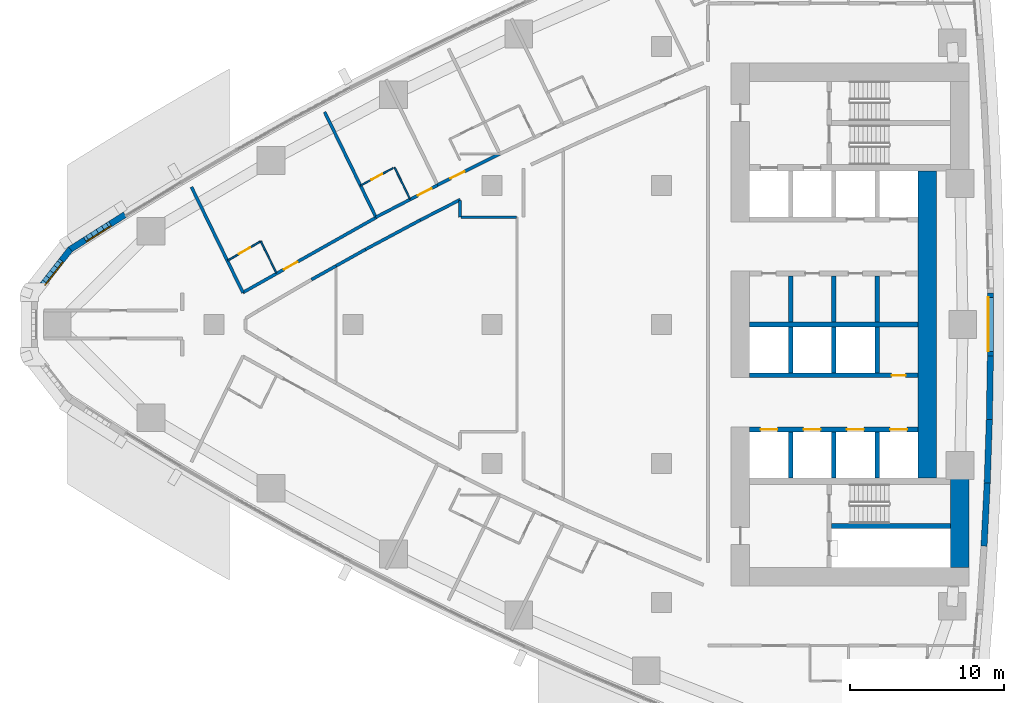
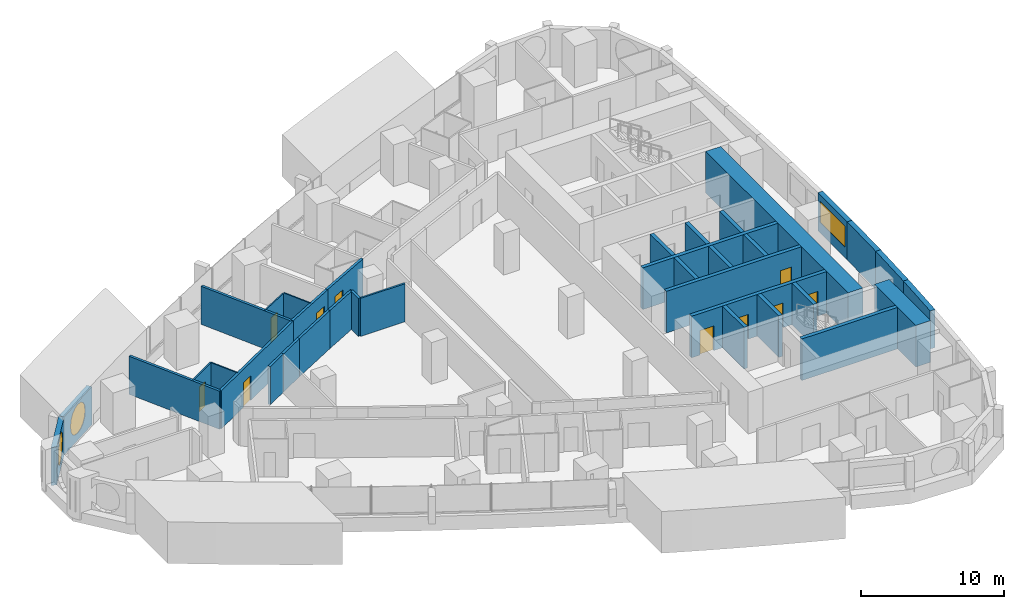
# One storey, part 11 of 19: 36 walls, 10 doors, 3 windows, 13 openings.
"""IFC4 building model written with IfcOpenShell, lengths in metres."""

from ifc_helpers import new_model, si_unit, direction, frame, frame_2d, origin, place, context, subcontext, project, spatial, polyline, rectangle, outline, extrude, material, layer, layer_set, type_object, element, fill, save


model = new_model("IFC4")

# Units and contexts
model_context = context("Model", 3, precision=1e-05, world=origin(), true_north=direction((0.0, 1.0)))
body_context = subcontext(model_context, "Body", "Model", "MODEL_VIEW")
ifc_project = project(units=[si_unit("LENGTHUNIT", "METRE"), si_unit("AREAUNIT", "SQUARE_METRE"), si_unit("VOLUMEUNIT", "CUBIC_METRE"), si_unit("PLANEANGLEUNIT", "RADIAN"), si_unit("MASSUNIT", "GRAM", prefix="KILO")], contexts=[model_context])

# Site, building, storey
site_placement = place(None, origin())
site = spatial("IfcSite", under=ifc_project, at=site_placement, CompositionType="ELEMENT")
building_placement = place(site_placement, origin())
building = spatial("IfcBuilding", under=site, at=building_placement, Name="Ostrand Prow Hotel Tower", CompositionType="ELEMENT")
storey_placement = place(building_placement, frame((0.0, 0.0, 43.14990234375)))
storey = spatial("IfcBuildingStorey", under=building, at=storey_placement, Name="L08", CompositionType="ELEMENT", Elevation=43.14990234375)

# Walls
ifc_material_1 = material(Name="Concrete C80/95", Category="concrete")
ifc_layer_1 = layer(ifc_material_1, 1.199951171875)
ifc_layer_set_1 = layer_set([ifc_layer_1], Name="Concrete C80/95")
wall_type_1 = type_object("IfcWallType", Name="Core wall 1200 C80/95", PredefinedType="SHEAR", material=ifc_layer_set_1)
wall_1_placement = place(storey_placement, frame((64.320068359375, -15.75, 0.0), z_axis=(0.0, 0.0, 1.0), x_axis=(0.0, 1.0, 0.0)))
element("IfcWall", 1, at=wall_1_placement, inside=storey, type_object=wall_type_1, Name="Core wall CW-E-S", PredefinedType="SHEAR", context=body_context, shape_type="SweptSolid", body=[
    extrude(rectangle(XDim=5.800048828125, YDim=1.199951171875, at=frame_2d((2.89990234375, 0.0))), origin(), (0.0, 0.0, 1.0), 3.550048828125),
])
wall_2_placement = place(storey_placement, frame((62.199951171875, -9.949951171875, 0.0), z_axis=(0.0, 0.0, 1.0), x_axis=(0.0, 1.0, 0.0)))
element("IfcWall", 2, at=wall_2_placement, inside=storey, type_object=wall_type_1, Name="Core wall CW-E-C", PredefinedType="SHEAR", context=body_context, shape_type="SweptSolid", body=[
    extrude(rectangle(XDim=19.89990234375, YDim=1.199951171875, at=frame_2d((9.949951171875, 0.0))), origin(), (0.0, 0.0, 1.0), 3.550048828125),
])
ifc_material_2 = material(Name="Concrete C80/95", Category="concrete")
ifc_layer_2 = layer(ifc_material_2, 0.300048828125)
ifc_layer_set_2 = layer_set([ifc_layer_2], Name="Concrete C80/95")
wall_type_2 = type_object("IfcWallType", Name="Core wall 300 C80/95", PredefinedType="SHEAR", material=ifc_layer_set_2)
wall_3_placement = place(storey_placement, frame((50.699951171875, 0.0, 0.0), z_axis=(0.0, 0.0, 1.0), x_axis=(1.0, 0.0, 0.0)))
element("IfcWall", 3, at=wall_3_placement, inside=storey, type_object=wall_type_2, Name="Core wall PW-C", PredefinedType="SHEAR", context=body_context, shape_type="SweptSolid", body=[
    extrude(rectangle(XDim=10.900146484375, YDim=0.300048828125, at=frame_2d((5.4501953125, 0.0))), origin(), (0.0, 0.0, 1.0), 3.550048828125),
])
for number, where, z_axis, x_axis, name in (
    (4, (53.35009765625, 0.14990234375, 0.0), (0.0, 0.0, 1.0), (0.0, 1.0, 0.0), "Core wall PW-R1-NB"),
    (5, (56.14990234375, 0.14990234375, 0.0), (0.0, 0.0, 1.0), (0.0, 1.0, 0.0), "Core wall PW-R2-NB"),
    (6, (58.949951171875, 0.14990234375, 0.0), (0.0, 0.0, 1.0), (0.0, 1.0, 0.0), "Core wall PW-R3-NB"),
):
    element("IfcWall", number, at=place(storey_placement, frame(where, z_axis=z_axis, x_axis=x_axis)), inside=storey, type_object=wall_type_2, Name=name, PredefinedType="SHEAR", context=body_context, shape_type="SweptSolid", body=[
        extrude(rectangle(XDim=3.0, YDim=0.300048828125, at=frame_2d((1.5, 0.0))), origin(), (0.0, 0.0, 1.0), 3.550048828125),
    ])

# Wall, opening, door
wall_4_placement = place(storey_placement, frame((50.699951171875, -3.300048828125, 0.0), z_axis=(0.0, 0.0, 1.0), x_axis=(1.0, 0.0, 0.0)))
wall_4 = element("IfcWall", 7, at=wall_4_placement, inside=storey, type_object=wall_type_2, Name="Core wall PW-L1-S", PredefinedType="SHEAR", context=body_context, shape_type="SweptSolid", body=[
    extrude(rectangle(XDim=10.900146484375, YDim=0.300048828125, at=frame_2d((5.4501953125, 0.0))), origin(), (0.0, 0.0, 1.0), 3.550048828125),
])
opening_1_placement = place(wall_4_placement, frame((9.199951171875, 0.0, 0.0)))
opening_1 = element("IfcOpeningElement", 8, at=opening_1_placement, cuts=wall_4, Name="Opening FD2", PredefinedType="OPENING", context=body_context, shape_type="SweptSolid", body=[
    extrude(rectangle(XDim=0.89990234375, YDim=2.10009765625, at=frame_2d((0.449951171875, 1.050048828125))), frame((0.0, 0.159912109375, 0.0), z_axis=(0.0, -1.0, 0.0), x_axis=(1.0, 0.0, 0.0)), (0.0, 0.0, 1.0), 0.320068359375),
])
ifc_material_3 = material(Name="Steel fire door", Category="steel")
door_type_1 = type_object("IfcDoorType", Name="Fire door 900 EI120", OperationType="SINGLE_SWING_LEFT", PredefinedType="DOOR", material=ifc_material_3)
door_1_placement = place(opening_1_placement, origin())
door_1 = element("IfcDoor", 9, at=door_1_placement, inside=storey, type_object=door_type_1, Name="DOOR", OperationType="SINGLE_SWING_LEFT", OverallHeight=2.10009765625, OverallWidth=0.89990234375, PredefinedType="DOOR", context=body_context, shape_type="SweptSolid", body=[
    extrude(rectangle(XDim=0.89990234375, YDim=2.10009765625, at=frame_2d((0.449951171875, 1.050048828125))), frame((0.0, 0.02490234375, 0.0), z_axis=(0.0, -1.0, 0.0), x_axis=(1.0, 0.0, 0.0)), (0.0, 0.0, 1.0), 0.050048828125),
])
fill(opening_1, door_1)

# Wall, openings, doors
wall_5_placement = place(storey_placement, frame((50.699951171875, -6.800048828125, 0.0), z_axis=(0.0, 0.0, 1.0), x_axis=(1.0, 0.0, 0.0)))
wall_5 = element("IfcWall", 10, at=wall_5_placement, inside=storey, type_object=wall_type_2, Name="Core wall PW-L2-S", PredefinedType="SHEAR", context=body_context, shape_type="SweptSolid", body=[
    extrude(rectangle(XDim=10.900146484375, YDim=0.300048828125, at=frame_2d((5.4501953125, 0.0))), origin(), (0.0, 0.0, 1.0), 3.550048828125),
])
opening_2_placement = place(wall_5_placement, frame((0.699951171875, 0.0, 0.0)))
opening_2 = element("IfcOpeningElement", 11, at=opening_2_placement, cuts=wall_5, Name="Opening LD", PredefinedType="OPENING", context=body_context, shape_type="SweptSolid", body=[
    extrude(rectangle(XDim=1.10009765625, YDim=2.10009765625, at=frame_2d((0.550048828125, 1.050048828125))), frame((0.0, 0.159912109375, 0.0), z_axis=(0.0, -1.0, 0.0), x_axis=(1.0, 0.0, 0.0)), (0.0, 0.0, 1.0), 0.320068359375),
])
opening_3_placement = place(wall_5_placement, frame((3.5, 0.0, 0.0)))
opening_3 = element("IfcOpeningElement", 12, at=opening_3_placement, cuts=wall_5, Name="Opening LD", PredefinedType="OPENING", context=body_context, shape_type="SweptSolid", body=[
    extrude(rectangle(XDim=1.10009765625, YDim=2.10009765625, at=frame_2d((0.550048828125, 1.050048828125))), frame((0.0, 0.159912109375, 0.0), z_axis=(0.0, -1.0, 0.0), x_axis=(1.0, 0.0, 0.0)), (0.0, 0.0, 1.0), 0.320068359375),
])
opening_4_placement = place(wall_5_placement, frame((6.300048828125, 0.0, 0.0)))
opening_4 = element("IfcOpeningElement", 13, at=opening_4_placement, cuts=wall_5, Name="Opening LD", PredefinedType="OPENING", context=body_context, shape_type="SweptSolid", body=[
    extrude(rectangle(XDim=1.10009765625, YDim=2.10009765625, at=frame_2d((0.550048828125, 1.050048828125))), frame((0.0, 0.159912109375, 0.0), z_axis=(0.0, -1.0, 0.0), x_axis=(1.0, 0.0, 0.0)), (0.0, 0.0, 1.0), 0.320068359375),
])
opening_5_placement = place(wall_5_placement, frame((9.10009765625, 0.0, 0.0)))
opening_5 = element("IfcOpeningElement", 14, at=opening_5_placement, cuts=wall_5, Name="Opening LD", PredefinedType="OPENING", context=body_context, shape_type="SweptSolid", body=[
    extrude(rectangle(XDim=1.10009765625, YDim=2.10009765625, at=frame_2d((0.550048828125, 1.050048828125))), frame((0.0, 0.159912109375, 0.0), z_axis=(0.0, -1.0, 0.0), x_axis=(1.0, 0.0, 0.0)), (0.0, 0.0, 1.0), 0.320068359375),
])
ifc_material_4 = material(Name="Stainless steel door", Category="steel")
door_type_2 = type_object("IfcDoorType", Name="Lift landing door 1100", OperationType="DOUBLE_DOOR_SLIDING", PredefinedType="DOOR", material=ifc_material_4)
door_2_placement = place(opening_2_placement, origin())
door_2 = element("IfcDoor", 15, at=door_2_placement, inside=storey, type_object=door_type_2, Name="LIFT LANDING DOOR", OperationType="DOUBLE_DOOR_SLIDING", OverallHeight=2.10009765625, OverallWidth=1.10009765625, PredefinedType="DOOR", context=body_context, shape_type="SweptSolid", body=[
    extrude(rectangle(XDim=1.10009765625, YDim=2.10009765625, at=frame_2d((0.550048828125, 1.050048828125))), frame((0.0, 0.02490234375, 0.0), z_axis=(0.0, -1.0, 0.0), x_axis=(1.0, 0.0, 0.0)), (0.0, 0.0, 1.0), 0.050048828125),
])
fill(opening_2, door_2)
door_3_placement = place(opening_3_placement, origin())
door_3 = element("IfcDoor", 16, at=door_3_placement, inside=storey, type_object=door_type_2, Name="LIFT LANDING DOOR", OperationType="DOUBLE_DOOR_SLIDING", OverallHeight=2.10009765625, OverallWidth=1.10009765625, PredefinedType="DOOR", context=body_context, shape_type="SweptSolid", body=[
    extrude(rectangle(XDim=1.10009765625, YDim=2.10009765625, at=frame_2d((0.550048828125, 1.050048828125))), frame((0.0, 0.02490234375, 0.0), z_axis=(0.0, -1.0, 0.0), x_axis=(1.0, 0.0, 0.0)), (0.0, 0.0, 1.0), 0.050048828125),
])
fill(opening_3, door_3)
door_4_placement = place(opening_4_placement, origin())
door_4 = element("IfcDoor", 17, at=door_4_placement, inside=storey, type_object=door_type_2, Name="LIFT LANDING DOOR", OperationType="DOUBLE_DOOR_SLIDING", OverallHeight=2.10009765625, OverallWidth=1.10009765625, PredefinedType="DOOR", context=body_context, shape_type="SweptSolid", body=[
    extrude(rectangle(XDim=1.10009765625, YDim=2.10009765625, at=frame_2d((0.550048828125, 1.050048828125))), frame((0.0, 0.02490234375, 0.0), z_axis=(0.0, -1.0, 0.0), x_axis=(1.0, 0.0, 0.0)), (0.0, 0.0, 1.0), 0.050048828125),
])
fill(opening_4, door_4)
door_5_placement = place(opening_5_placement, origin())
door_5 = element("IfcDoor", 18, at=door_5_placement, inside=storey, type_object=door_type_2, Name="LIFT LANDING DOOR", OperationType="DOUBLE_DOOR_SLIDING", OverallHeight=2.10009765625, OverallWidth=1.10009765625, PredefinedType="DOOR", context=body_context, shape_type="SweptSolid", body=[
    extrude(rectangle(XDim=1.10009765625, YDim=2.10009765625, at=frame_2d((0.550048828125, 1.050048828125))), frame((0.0, 0.02490234375, 0.0), z_axis=(0.0, -1.0, 0.0), x_axis=(1.0, 0.0, 0.0)), (0.0, 0.0, 1.0), 0.050048828125),
])
fill(opening_5, door_5)

# Walls
for number, where, z_axis, x_axis, name in (
    (19, (53.35009765625, -3.14990234375, 0.0), (0.0, 0.0, 1.0), (0.0, 1.0, 0.0), "Core wall PW-R1-SB"),
    (20, (53.35009765625, -9.949951171875, 0.0), (0.0, 0.0, 1.0), (0.0, 1.0, 0.0), "Core wall PW-R1-SA"),
    (21, (56.14990234375, -3.14990234375, 0.0), (0.0, 0.0, 1.0), (0.0, 1.0, 0.0), "Core wall PW-R2-SB"),
    (22, (56.14990234375, -9.949951171875, 0.0), (0.0, 0.0, 1.0), (0.0, 1.0, 0.0), "Core wall PW-R2-SA"),
    (23, (58.949951171875, -3.14990234375, 0.0), (0.0, 0.0, 1.0), (0.0, 1.0, 0.0), "Core wall PW-R3-SB"),
    (24, (58.949951171875, -9.949951171875, 0.0), (0.0, 0.0, 1.0), (0.0, 1.0, 0.0), "Core wall PW-R3-SA"),
):
    element("IfcWall", number, at=place(storey_placement, frame(where, z_axis=z_axis, x_axis=x_axis)), inside=storey, type_object=wall_type_2, Name=name, PredefinedType="SHEAR", context=body_context, shape_type="SweptSolid", body=[
        extrude(rectangle(XDim=3.0, YDim=0.300048828125, at=frame_2d((1.5, 0.0))), origin(), (0.0, 0.0, 1.0), 3.550048828125),
    ])
wall_6_placement = place(storey_placement, frame((56.0, -13.050048828125, 0.0), z_axis=(0.0, 0.0, 1.0), x_axis=(1.0, 0.0, 0.0)))
element("IfcWall", 25, at=wall_6_placement, inside=storey, type_object=wall_type_2, Name="Core wall PW-ST2R", PredefinedType="SHEAR", context=body_context, shape_type="SweptSolid", body=[
    extrude(rectangle(XDim=7.719970703125, YDim=0.300048828125, at=frame_2d((3.85986328125, 0.0))), origin(), (0.0, 0.0, 1.0), 3.550048828125),
])

# Wall, opening, door
ifc_material_5 = material(Name="Plasterboard partition")
ifc_layer_3 = layer(ifc_material_5, 0.10009765625)
ifc_layer_set_3 = layer_set([ifc_layer_3], Name="Plasterboard partition")
wall_type_3 = type_object("IfcWallType", Name="Partition 100 bathroom wall", PredefinedType="PARTITIONING", material=ifc_layer_set_3)
wall_7_placement = place(storey_placement, frame((16.898193359375, 4.1435546875, 0.0), z_axis=(0.0, 0.0, 1.0), x_axis=(0.863707305865, 0.503993739837, 0.0)))
wall_7 = element("IfcWall", 26, at=wall_7_placement, inside=storey, type_object=wall_type_3, Name="BATHROOM WALL", PredefinedType="PARTITIONING", context=body_context, shape_type="SweptSolid", body=[
    extrude(rectangle(XDim=2.473876953125, YDim=0.10009765625, at=frame_2d((1.23681640625, 0.0))), origin(), (0.0, 0.0, 1.0), 3.25),
])
opening_6_placement = place(wall_7_placement, frame((0.85009765625, 0.0, 0.0)))
opening_6 = element("IfcOpeningElement", 27, at=opening_6_placement, cuts=wall_7, Name="Opening D2", PredefinedType="OPENING", context=body_context, shape_type="SweptSolid", body=[
    extrude(rectangle(XDim=0.800048828125, YDim=2.10009765625, at=frame_2d((0.39990234375, 1.050048828125))), frame((0.0, 0.06005859375, 0.0), z_axis=(0.0, -1.0, 0.0), x_axis=(1.0, 0.0, 0.0)), (0.0, 0.0, 1.0), 0.1201171875),
])
ifc_material_6 = material(Name="Timber door leaf", Category="wood")
door_type_3 = type_object("IfcDoorType", Name="Bathroom door 800", OperationType="SINGLE_SWING_LEFT", PredefinedType="DOOR", material=ifc_material_6)
door_6_placement = place(opening_6_placement, origin())
door_6 = element("IfcDoor", 28, at=door_6_placement, inside=storey, type_object=door_type_3, Name="DOOR", OperationType="SINGLE_SWING_LEFT", OverallHeight=2.10009765625, OverallWidth=0.800048828125, PredefinedType="DOOR", context=body_context, shape_type="SweptSolid", body=[
    extrude(rectangle(XDim=0.800048828125, YDim=2.10009765625, at=frame_2d((0.39990234375, 1.050048828125))), frame((0.0, 0.02490234375, 0.0), z_axis=(0.0, -1.0, 0.0), x_axis=(1.0, 0.0, 0.0)), (0.0, 0.0, 1.0), 0.050048828125),
])
fill(opening_6, door_6)

# Wall
wall_8_placement = place(storey_placement, frame((19.03515625, 5.390380859375, 0.0), z_axis=(0.0, 0.0, 1.0), x_axis=(0.438122322582, -0.898915363344, 0.0)))
element("IfcWall", 29, at=wall_8_placement, inside=storey, type_object=wall_type_3, Name="BATHROOM WALL", PredefinedType="PARTITIONING", context=body_context, shape_type="SweptSolid", body=[
    extrude(rectangle(XDim=2.282958984375, YDim=0.10009765625, at=frame_2d((1.1416015625, 0.0))), origin(), (0.0, 0.0, 1.0), 3.25),
])

# Wall, opening, door
wall_9_placement = place(storey_placement, frame((25.490478515625, 8.998291015625, 0.0), z_axis=(0.0, 0.0, 1.0), x_axis=(0.881666905428, 0.471872300388, 0.0)))
wall_9 = element("IfcWall", 30, at=wall_9_placement, inside=storey, type_object=wall_type_3, Name="BATHROOM WALL", PredefinedType="PARTITIONING", context=body_context, shape_type="SweptSolid", body=[
    extrude(rectangle(XDim=2.38720703125, YDim=0.10009765625, at=frame_2d((1.193603515625, 0.0))), origin(), (0.0, 0.0, 1.0), 3.25),
])
opening_7_placement = place(wall_9_placement, frame((0.800048828125, 0.0, 0.0)))
opening_7 = element("IfcOpeningElement", 31, at=opening_7_placement, cuts=wall_9, Name="Opening D2", PredefinedType="OPENING", context=body_context, shape_type="SweptSolid", body=[
    extrude(rectangle(XDim=0.800048828125, YDim=2.10009765625, at=frame_2d((0.39990234375, 1.050048828125))), frame((0.0, 0.06005859375, 0.0), z_axis=(0.0, -1.0, 0.0), x_axis=(1.0, 0.0, 0.0)), (0.0, 0.0, 1.0), 0.1201171875),
])
door_7_placement = place(opening_7_placement, origin())
door_7 = element("IfcDoor", 32, at=door_7_placement, inside=storey, type_object=door_type_3, Name="DOOR", OperationType="SINGLE_SWING_LEFT", OverallHeight=2.10009765625, OverallWidth=0.800048828125, PredefinedType="DOOR", context=body_context, shape_type="SweptSolid", body=[
    extrude(rectangle(XDim=0.800048828125, YDim=2.10009765625, at=frame_2d((0.39990234375, 1.050048828125))), frame((0.0, 0.02490234375, 0.0), z_axis=(0.0, -1.0, 0.0), x_axis=(1.0, 0.0, 0.0)), (0.0, 0.0, 1.0), 0.050048828125),
])
fill(opening_7, door_7)

# Walls
wall_10_placement = place(storey_placement, frame((27.697021484375, 10.177001953125, 0.0), z_axis=(0.0, 0.0, 1.0), x_axis=(0.438229314017, -0.898863208912, 0.0)))
element("IfcWall", 33, at=wall_10_placement, inside=storey, type_object=wall_type_3, Name="BATHROOM WALL", PredefinedType="PARTITIONING", context=body_context, shape_type="SweptSolid", body=[
    extrude(rectangle(XDim=2.27734375, YDim=0.10009765625, at=frame_2d((1.138671875, 0.0))), origin(), (0.0, 0.0, 1.0), 3.25),
])
ifc_material_7 = material(Name="Plasterboard partition")
ifc_layer_4 = layer(ifc_material_7, 0.14990234375)
ifc_layer_set_4 = layer_set([ifc_layer_4], Name="Plasterboard partition")
wall_type_4 = type_object("IfcWallType", Name="Partition 150 room partition", PredefinedType="PARTITIONING", material=ifc_layer_set_4)
wall_11_placement = place(storey_placement, frame((31.988525390625, 6.9453125, 0.0), z_axis=(0.0, 0.0, 1.0), x_axis=(0.999999997697, -6.786102e-05, 0.0)))
element("IfcWall", 34, at=wall_11_placement, inside=storey, type_object=wall_type_4, Name="ROOM PARTITION", PredefinedType="PARTITIONING", context=body_context, shape_type="SweptSolid", body=[
    extrude(rectangle(XDim=3.59765625, YDim=0.14990234375, at=frame_2d((1.798828125, 0.0))), origin(), (0.0, 0.0, 1.0), 3.25),
])

# Wall, opening, door
ifc_material_8 = material(Name="Plasterboard partition")
ifc_layer_5 = layer(ifc_material_8, 0.199951171875)
ifc_layer_set_5 = layer_set([ifc_layer_5], Name="Plasterboard partition")
wall_type_5 = type_object("IfcWallType", Name="Partition 200 corridor wall", PredefinedType="PARTITIONING", material=ifc_layer_set_5)
wall_12_placement = place(storey_placement, frame((17.87353515625, 2.068115234375, 0.0), z_axis=(0.0, 0.0, 1.0), x_axis=(0.871165632804, 0.490989246544, 0.0)))
wall_12 = element("IfcWall", 35, at=wall_12_placement, inside=storey, type_object=wall_type_5, Name="CORRIDOR WALL", PredefinedType="PARTITIONING", context=body_context, shape_type="SweptSolid", body=[
    extrude(rectangle(XDim=9.901123046875, YDim=0.199951171875, at=frame_2d((4.95068359375, 0.0))), origin(), (0.0, 0.0, 1.0), 3.25),
])
opening_8_placement = place(wall_12_placement, frame((3.050048828125, 0.0, 0.0)))
opening_8 = element("IfcOpeningElement", 36, at=opening_8_placement, cuts=wall_12, Name="Opening D1R", PredefinedType="OPENING", context=body_context, shape_type="SweptSolid", body=[
    extrude(rectangle(XDim=1.0, YDim=2.10009765625, at=frame_2d((0.5, 1.050048828125))), frame((0.0, 0.10986328125, 0.0), z_axis=(0.0, -1.0, 0.0), x_axis=(1.0, 0.0, 0.0)), (0.0, 0.0, 1.0), 0.219970703125),
])
ifc_material_9 = material(Name="Timber door leaf", Category="wood")
door_type_4 = type_object("IfcDoorType", Name="Guest room door 1000 right", OperationType="SINGLE_SWING_RIGHT", PredefinedType="DOOR", material=ifc_material_9)
door_8_placement = place(opening_8_placement, origin())
door_8 = element("IfcDoor", 37, at=door_8_placement, inside=storey, type_object=door_type_4, Name="DOOR", OperationType="SINGLE_SWING_RIGHT", OverallHeight=2.10009765625, OverallWidth=1.0, PredefinedType="DOOR", context=body_context, shape_type="SweptSolid", body=[
    extrude(rectangle(XDim=1.0, YDim=2.10009765625, at=frame_2d((0.5, 1.050048828125))), frame((0.0, 0.02490234375, 0.0), z_axis=(0.0, -1.0, 0.0), x_axis=(1.0, 0.0, 0.0)), (0.0, 0.0, 1.0), 0.050048828125),
])
fill(opening_8, door_8)

wall_13_placement = place(storey_placement, frame((26.490234375, 6.947509765625, 0.0), z_axis=(0.0, 0.0, 1.0), x_axis=(0.887638836985, 0.460540220911, 0.0)))
wall_13 = element("IfcWall", 38, at=wall_13_placement, inside=storey, type_object=wall_type_5, Name="CORRIDOR WALL", PredefinedType="PARTITIONING", context=body_context, shape_type="SweptSolid", body=[
    extrude(rectangle(XDim=4.50439453125, YDim=0.199951171875, at=frame_2d((2.252197265625, 0.0))), origin(), (0.0, 0.0, 1.0), 3.25),
])
opening_9_placement = place(wall_13_placement, frame((3.050048828125, 0.0, 0.0)))
opening_9 = element("IfcOpeningElement", 39, at=opening_9_placement, cuts=wall_13, Name="Opening D1R", PredefinedType="OPENING", context=body_context, shape_type="SweptSolid", body=[
    extrude(rectangle(XDim=1.0, YDim=2.10009765625, at=frame_2d((0.5, 1.050048828125))), frame((0.0, 0.10986328125, 0.0), z_axis=(0.0, -1.0, 0.0), x_axis=(1.0, 0.0, 0.0)), (0.0, 0.0, 1.0), 0.219970703125),
])
door_9_placement = place(opening_9_placement, origin())
door_9 = element("IfcDoor", 40, at=door_9_placement, inside=storey, type_object=door_type_4, Name="DOOR", OperationType="SINGLE_SWING_RIGHT", OverallHeight=2.10009765625, OverallWidth=1.0, PredefinedType="DOOR", context=body_context, shape_type="SweptSolid", body=[
    extrude(rectangle(XDim=1.0, YDim=2.10009765625, at=frame_2d((0.5, 1.050048828125))), frame((0.0, 0.02490234375, 0.0), z_axis=(0.0, -1.0, 0.0), x_axis=(1.0, 0.0, 0.0)), (0.0, 0.0, 1.0), 0.050048828125),
])
fill(opening_9, door_9)

wall_14_placement = place(storey_placement, frame((30.479736328125, 9.039794921875, 0.0), z_axis=(0.0, 0.0, 1.0), x_axis=(0.894989913054, 0.446086376761, 0.0)))
wall_14 = element("IfcWall", 41, at=wall_14_placement, inside=storey, type_object=wall_type_5, Name="CORRIDOR WALL", PredefinedType="PARTITIONING", context=body_context, shape_type="SweptSolid", body=[
    extrude(rectangle(XDim=4.50634765625, YDim=0.199951171875, at=frame_2d((2.253173828125, 0.0))), origin(), (0.0, 0.0, 1.0), 3.25),
])
opening_10_placement = place(wall_14_placement, frame((0.949951171875, 0.0, 0.0)))
opening_10 = element("IfcOpeningElement", 42, at=opening_10_placement, cuts=wall_14, Name="Opening D1R", PredefinedType="OPENING", context=body_context, shape_type="SweptSolid", body=[
    extrude(rectangle(XDim=1.0, YDim=2.10009765625, at=frame_2d((0.5, 1.050048828125))), frame((0.0, 0.10986328125, 0.0), z_axis=(0.0, -1.0, 0.0), x_axis=(1.0, 0.0, 0.0)), (0.0, 0.0, 1.0), 0.219970703125),
])
door_10_placement = place(opening_10_placement, origin())
door_10 = element("IfcDoor", 43, at=door_10_placement, inside=storey, type_object=door_type_4, Name="DOOR", OperationType="SINGLE_SWING_RIGHT", OverallHeight=2.10009765625, OverallWidth=1.0, PredefinedType="DOOR", context=body_context, shape_type="SweptSolid", body=[
    extrude(rectangle(XDim=1.0, YDim=2.10009765625, at=frame_2d((0.5, 1.050048828125))), frame((0.0, 0.02490234375, 0.0), z_axis=(0.0, -1.0, 0.0), x_axis=(1.0, 0.0, 0.0)), (0.0, 0.0, 1.0), 0.050048828125),
])
fill(opening_10, door_10)

# Walls
wall_15_placement = place(storey_placement, frame((22.31201171875, 2.903076171875, 0.0), z_axis=(0.0, 0.0, 1.0), x_axis=(0.872813072418, 0.48805464921, 0.0)))
element("IfcWall", 44, at=wall_15_placement, inside=storey, type_object=wall_type_5, Name="CORRIDOR WALL", PredefinedType="PARTITIONING", context=body_context, shape_type="SweptSolid", body=[
    extrude(rectangle(XDim=1.829345703125, YDim=0.199951171875, at=frame_2d((0.91455078125, 0.0))), origin(), (0.0, 0.0, 1.0), 3.25),
])
wall_16_placement = place(storey_placement, frame((29.357421875, 6.758056640625, 0.0), z_axis=(0.0, 0.0, 1.0), x_axis=(0.890213377055, 0.455543788579, 0.0)))
element("IfcWall", 45, at=wall_16_placement, inside=storey, type_object=wall_type_5, Name="CORRIDOR WALL", PredefinedType="PARTITIONING", context=body_context, shape_type="SweptSolid", body=[
    extrude(rectangle(XDim=2.912353515625, YDim=0.199951171875, at=frame_2d((1.4560546875, 0.0))), origin(), (0.0, 0.0, 1.0), 3.25),
])
wall_17_placement = place(storey_placement, frame((23.90869140625, 3.7958984375, 0.0), z_axis=(0.0, 0.0, 1.0), x_axis=(0.872789592901, 0.48809663646, 0.0)))
element("IfcWall", 46, at=wall_17_placement, inside=storey, type_object=wall_type_5, Name="CORRIDOR WALL", PredefinedType="PARTITIONING", context=body_context, shape_type="SweptSolid", body=[
    extrude(rectangle(XDim=2.186279296875, YDim=0.199951171875, at=frame_2d((1.09326171875, 0.0))), origin(), (0.0, 0.0, 1.0), 3.25),
])
wall_18_placement = place(storey_placement, frame((25.81689453125, 4.863037109375, 0.0), z_axis=(0.0, 0.0, 1.0), x_axis=(0.881655245922, 0.471894084874, 0.0)))
element("IfcWall", 47, at=wall_18_placement, inside=storey, type_object=wall_type_5, Name="CORRIDOR WALL", PredefinedType="PARTITIONING", context=body_context, shape_type="SweptSolid", body=[
    extrude(rectangle(XDim=4.015869140625, YDim=0.199951171875, at=frame_2d((2.0078125, 0.0))), origin(), (0.0, 0.0, 1.0), 3.25),
])
wall_19_placement = place(storey_placement, frame((31.945068359375, 8.037353515625, 0.0), z_axis=(0.0, 0.0, 1.0), x_axis=(0.003129875123, -0.999995101929, 0.0)))
element("IfcWall", 48, at=wall_19_placement, inside=storey, type_object=wall_type_5, Name="CORRIDOR WALL", PredefinedType="PARTITIONING", context=body_context, shape_type="SweptSolid", body=[
    extrude(rectangle(XDim=1.092041015625, YDim=0.199951171875, at=frame_2d((0.5458984375, 0.0))), origin(), (0.0, 0.0, 1.0), 3.25),
])
ifc_material_10 = material(Name="Plasterboard partition")
ifc_layer_6 = layer(ifc_material_10, 0.199951171875)
ifc_layer_set_6 = layer_set([ifc_layer_6], Name="Plasterboard partition")
wall_type_6 = type_object("IfcWallType", Name="Partition 200 key partition", PredefinedType="PARTITIONING", material=ifc_layer_set_6)
wall_20_placement = place(storey_placement, frame((17.88232421875, 2.050048828125, 0.0), z_axis=(0.0, 0.0, 1.0), x_axis=(-0.438213564788, 0.898870887078, 0.0)))
element("IfcWall", 49, at=wall_20_placement, inside=storey, type_object=wall_type_6, Name="KEY PARTITION", PredefinedType="PARTITIONING", context=body_context, shape_type="SweptSolid", body=[
    extrude(rectangle(XDim=7.62548828125, YDim=0.199951171875, at=frame_2d((3.812744140625, 0.0))), origin(), (0.0, 0.0, 1.0), 3.25),
])
wall_21_placement = place(storey_placement, frame((26.4990234375, 6.929443359375, 0.0), z_axis=(0.0, 0.0, 1.0), x_axis=(-0.438215539964, 0.898869924146, 0.0)))
element("IfcWall", 50, at=wall_21_placement, inside=storey, type_object=wall_type_6, Name="KEY PARTITION", PredefinedType="PARTITIONING", context=body_context, shape_type="SweptSolid", body=[
    extrude(rectangle(XDim=7.605224609375, YDim=0.199951171875, at=frame_2d((3.802734375, 0.0))), origin(), (0.0, 0.0, 1.0), 3.25),
])

# Wall, opening, window
ifc_material_11 = material(Name="Precast concrete C40/50", Category="concrete")
ifc_layer_7 = layer(ifc_material_11, 0.39990234375)
ifc_layer_set_7 = layer_set([ifc_layer_7], Name="Precast concrete C40/50")
wall_type_7 = type_object("IfcWallType", Name="Stone-faced precast wall 400 mm", PredefinedType="NOTDEFINED", material=ifc_layer_set_7)
wall_22_placement = place(storey_placement, frame((10.24169921875, 7.116455078125, 0.0), z_axis=(0.0, 0.0, 1.0), x_axis=(-0.844551578623, -0.535474211372, 0.0)))
wall_22 = element("IfcWall", 51, at=wall_22_placement, inside=storey, type_object=wall_type_7, Name="Stone-faced wall prow 1", PredefinedType="NOTDEFINED", context=body_context, shape_type="SweptSolid", body=[
    extrude(outline(polyline([(0.0, -0.199951171875), (4.23046875, -0.199951171875), (4.16162109375, 0.199951171875), (0.0, 0.199951171875), (0.0, -0.199951171875)])), origin(), (0.0, 0.0, 1.0), 3.25),
])
opening_11_placement = place(wall_22_placement, frame((0.998046875, 0.0, 0.60009765625)))
opening_11 = element("IfcOpeningElement", 52, at=opening_11_placement, cuts=wall_22, Name="Opening WP1", PredefinedType="OPENING", context=body_context, shape_type="SweptSolid", body=[
    extrude(outline(polyline([(0.0, 1.35009765625), (0.083740234375, 1.77099609375), (0.322265625, 2.127685546875), (0.678955078125, 2.3662109375), (1.10009765625, 2.449951171875), (1.52099609375, 2.3662109375), (1.877685546875, 2.127685546875), (2.1162109375, 1.77099609375), (2.199951171875, 1.35009765625), (2.199951171875, 1.10009765625), (2.1162109375, 0.678955078125), (1.877685546875, 0.322265625), (1.52099609375, 0.083740234375), (1.10009765625, 0.0), (0.678955078125, 0.083740234375), (0.322265625, 0.322265625), (0.083740234375, 0.678955078125), (0.0, 1.099853515625), (0.0, 1.35009765625)])), frame((0.0, 0.2099609375, 0.0), z_axis=(0.0, -1.0, 0.0), x_axis=(1.0, 0.0, 0.0)), (0.0, 0.0, 1.0), 0.419921875),
])
ifc_material_12 = material(Name="Insulated glass in bronze frame", Category="glass")
window_type_1 = type_object("IfcWindowType", Name="Round-ended prow window 2200x2450", PartitioningType="SINGLE_PANEL", PredefinedType="WINDOW", material=ifc_material_12)
window_1_placement = place(opening_11_placement, origin())
window_1 = element("IfcWindow", 53, at=window_1_placement, inside=storey, type_object=window_type_1, Name="Window prow 1.1", OverallHeight=2.449951171875, OverallWidth=2.199951171875, PartitioningType="SINGLE_PANEL", PredefinedType="WINDOW", context=body_context, shape_type="SweptSolid", body=[
    extrude(outline(polyline([(0.0, 1.35009765625), (0.083740234375, 1.77099609375), (0.322265625, 2.127685546875), (0.678955078125, 2.3662109375), (1.10009765625, 2.449951171875), (1.52099609375, 2.3662109375), (1.877685546875, 2.127685546875), (2.1162109375, 1.77099609375), (2.199951171875, 1.35009765625), (2.199951171875, 1.10009765625), (2.1162109375, 0.678955078125), (1.877685546875, 0.322265625), (1.52099609375, 0.083740234375), (1.10009765625, 0.0), (0.678955078125, 0.083740234375), (0.322265625, 0.322265625), (0.083740234375, 0.678955078125), (0.0, 1.099853515625), (0.0, 1.35009765625)])), frame((0.0, 0.169921875, 0.0), z_axis=(0.0, -1.0, 0.0), x_axis=(1.0, 0.0, 0.0)), (0.0, 0.0, 1.0), 0.06005859375),
])
fill(opening_11, window_1)

wall_23_placement = place(storey_placement, frame((6.697998046875, 4.86962890625, 0.0), z_axis=(0.0, 0.0, 1.0), x_axis=(-0.616586647779, -0.787287054245, 0.0)))
wall_23 = element("IfcWall", 54, at=wall_23_placement, inside=storey, type_object=wall_type_7, Name="Stone-faced wall prow 2", PredefinedType="NOTDEFINED", context=body_context, shape_type="SweptSolid", body=[
    extrude(outline(polyline([(-0.034423828125, -0.199951171875), (3.85205078125, -0.199951171875), (3.7138671875, 0.199951171875), (0.034423828125, 0.199951171875), (-0.034423828125, -0.199951171875)])), origin(), (0.0, 0.0, 1.0), 3.25),
])
opening_12_placement = place(wall_23_placement, frame((0.79150390625, 0.0, 0.60009765625)))
opening_12 = element("IfcOpeningElement", 55, at=opening_12_placement, cuts=wall_23, Name="Opening WP1", PredefinedType="OPENING", context=body_context, shape_type="SweptSolid", body=[
    extrude(outline(polyline([(0.0, 1.35009765625), (0.083740234375, 1.77099609375), (0.322265625, 2.127685546875), (0.678955078125, 2.3662109375), (1.10009765625, 2.449951171875), (1.52099609375, 2.3662109375), (1.877685546875, 2.127685546875), (2.1162109375, 1.77099609375), (2.199951171875, 1.35009765625), (2.199951171875, 1.10009765625), (2.1162109375, 0.678955078125), (1.877685546875, 0.322265625), (1.52099609375, 0.083740234375), (1.10009765625, 0.0), (0.678955078125, 0.083740234375), (0.322265625, 0.322265625), (0.083740234375, 0.678955078125), (0.0, 1.099853515625), (0.0, 1.35009765625)])), frame((0.0, 0.2099609375, 0.0), z_axis=(0.0, -1.0, 0.0), x_axis=(1.0, 0.0, 0.0)), (0.0, 0.0, 1.0), 0.419921875),
])
window_2_placement = place(opening_12_placement, origin())
window_2 = element("IfcWindow", 56, at=window_2_placement, inside=storey, type_object=window_type_1, Name="Window prow 2.1", OverallHeight=2.449951171875, OverallWidth=2.199951171875, PartitioningType="SINGLE_PANEL", PredefinedType="WINDOW", context=body_context, shape_type="SweptSolid", body=[
    extrude(outline(polyline([(0.0, 1.35009765625), (0.083740234375, 1.77099609375), (0.322265625, 2.127685546875), (0.678955078125, 2.3662109375), (1.10009765625, 2.449951171875), (1.52099609375, 2.3662109375), (1.877685546875, 2.127685546875), (2.1162109375, 1.77099609375), (2.199951171875, 1.35009765625), (2.199951171875, 1.10009765625), (2.1162109375, 0.678955078125), (1.877685546875, 0.322265625), (1.52099609375, 0.083740234375), (1.10009765625, 0.0), (0.678955078125, 0.083740234375), (0.322265625, 0.322265625), (0.083740234375, 0.678955078125), (0.0, 1.099853515625), (0.0, 1.35009765625)])), frame((0.0, 0.169921875, 0.0), z_axis=(0.0, -1.0, 0.0), x_axis=(1.0, 0.0, 0.0)), (0.0, 0.0, 1.0), 0.06005859375),
])
fill(opening_12, window_2)

# Walls
for number, where, z_axis, x_axis, name in (
    (57, (65.878173828125, -14.359619140625, 0.0), (0.0, 0.0, 1.0), (0.050314326423, 0.998733432181, 0.0), "Stone-faced wall back 7"),
    (58, (66.084716796875, -10.259765625, 0.0), (0.0, 0.0, 1.0), (0.033542554696, 0.999437290191, 0.0), "Stone-faced wall back 8"),
    (59, (66.222412109375, -6.156982421875, 0.0), (0.0, 0.0, 1.0), (0.016830829972, 0.999858351549, 0.0), "Stone-faced wall back 9"),
):
    element("IfcWall", number, at=place(storey_placement, frame(where, z_axis=z_axis, x_axis=x_axis)), inside=storey, type_object=wall_type_7, Name=name, PredefinedType="NOTDEFINED", context=body_context, shape_type="SweptSolid", body=[
        extrude(outline(polyline([(-0.001708984375, -0.199951171875), (4.106689453125, -0.199951171875), (4.103271484375, 0.199951171875), (0.001708984375, 0.199951171875), (-0.001708984375, -0.199951171875)])), origin(), (0.0, 0.0, 1.0), 3.25),
    ])

# Wall, opening, window
wall_24_placement = place(storey_placement, frame((66.29150390625, -2.052490234375, 0.0), z_axis=(0.0, 0.0, 1.0), x_axis=(0.0, 1.0, 0.0)))
wall_24 = element("IfcWall", 60, at=wall_24_placement, inside=storey, type_object=wall_type_7, Name="Stone-faced wall back 10", PredefinedType="NOTDEFINED", context=body_context, shape_type="SweptSolid", body=[
    extrude(outline(polyline([(-0.001708984375, -0.199951171875), (4.106689453125, -0.199951171875), (4.103271484375, 0.199951171875), (0.001708984375, 0.199951171875), (-0.001708984375, -0.199951171875)])), origin(), (0.0, 0.0, 1.0), 3.25),
])
opening_13_placement = place(wall_24_placement, frame((0.302490234375, 0.0, 0.89990234375)))
opening_13 = element("IfcOpeningElement", 61, at=opening_13_placement, cuts=wall_24, Name="Opening WS3-35", PredefinedType="OPENING", context=body_context, shape_type="SweptSolid", body=[
    extrude(rectangle(XDim=3.5, YDim=1.800048828125, at=frame_2d((1.75, 0.89990234375))), frame((0.0, 0.2099609375, 0.0), z_axis=(0.0, -1.0, 0.0), x_axis=(1.0, 0.0, 0.0)), (0.0, 0.0, 1.0), 0.419921875),
])
ifc_material_13 = material(Name="Insulated glass in bronze frame", Category="glass")
window_type_2 = type_object("IfcWindowType", Name="Strip window 3500x1800", PartitioningType="SINGLE_PANEL", PredefinedType="WINDOW", material=ifc_material_13)
window_3_placement = place(opening_13_placement, origin())
window_3 = element("IfcWindow", 62, at=window_3_placement, inside=storey, type_object=window_type_2, Name="Window back 10.1", OverallHeight=1.800048828125, OverallWidth=3.5, PartitioningType="SINGLE_PANEL", PredefinedType="WINDOW", context=body_context, shape_type="SweptSolid", body=[
    extrude(rectangle(XDim=3.5, YDim=1.800048828125, at=frame_2d((1.75, 0.89990234375))), frame((0.0, 0.169921875, 0.0), z_axis=(0.0, -1.0, 0.0), x_axis=(1.0, 0.0, 0.0)), (0.0, 0.0, 1.0), 0.06005859375),
])
fill(opening_13, window_3)

save(model, "model.ifc")
